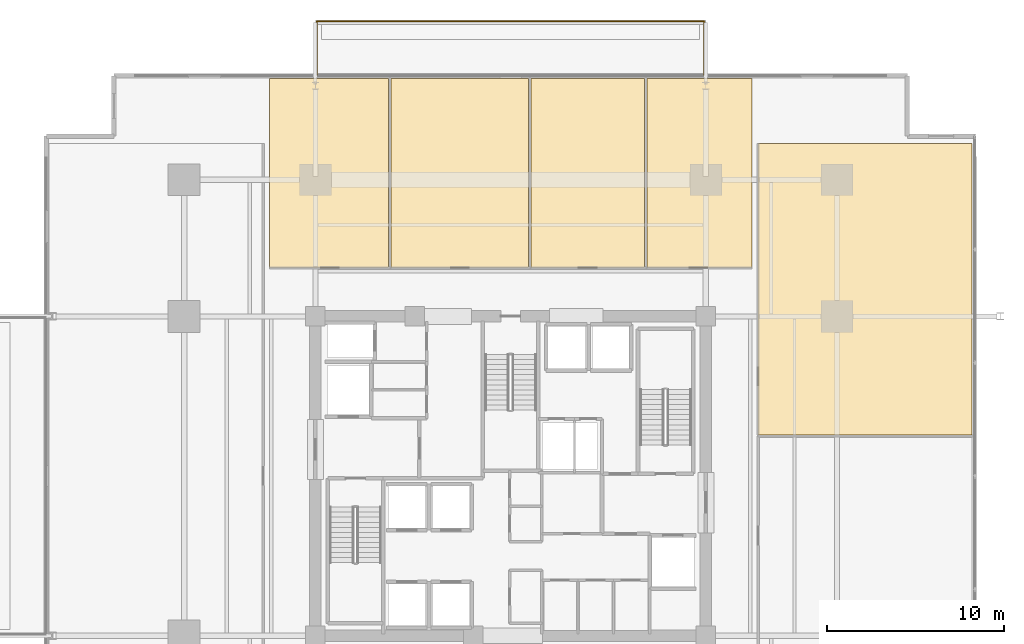
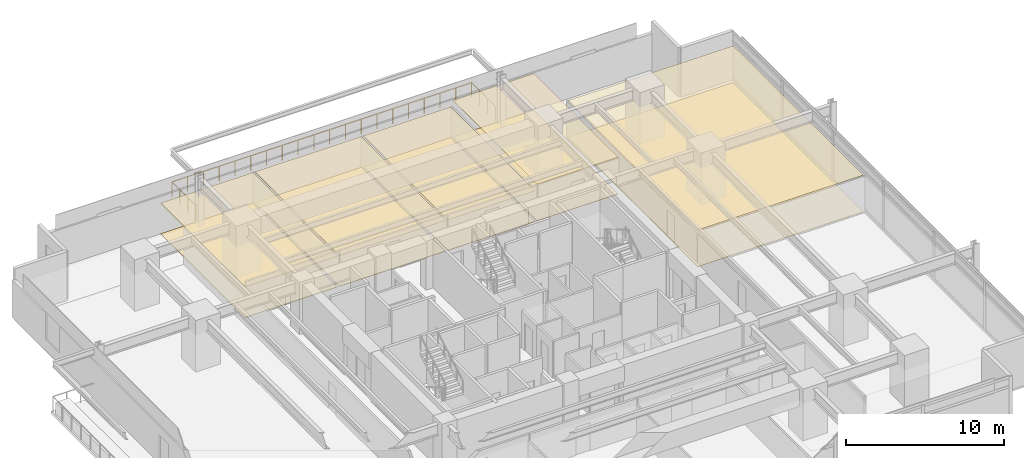
# One storey, part 20 of 20: 10 coverings, 1 railing.
"""IFC4 building model written with IfcOpenShell, lengths in metres."""

from ifc_helpers import new_model, si_unit, direction, frame, origin, origin_2d, place, context, subcontext, project, spatial, polyline, circle, outline, extrude, material, layer, layer_set, type_object, element, save


model = new_model("IFC4")

# Units and contexts
model_context = context("Model", 3, precision=1e-05, world=origin(), true_north=direction((0.0, 1.0)))
body_context = subcontext(model_context, "Body", "Model", "MODEL_VIEW")
ifc_project = project(units=[si_unit("LENGTHUNIT", "METRE"), si_unit("AREAUNIT", "SQUARE_METRE"), si_unit("VOLUMEUNIT", "CUBIC_METRE"), si_unit("PLANEANGLEUNIT", "RADIAN"), si_unit("MASSUNIT", "GRAM", prefix="KILO")], contexts=[model_context])

# Site, building, storey
site_placement = place(None, origin())
site = spatial("IfcSite", under=ifc_project, at=site_placement, CompositionType="ELEMENT")
building_placement = place(site_placement, origin())
building = spatial("IfcBuilding", under=site, at=building_placement, Name="Kovane Verandah Tower", CompositionType="ELEMENT")
storey_placement = place(building_placement, frame((0.0, 0.0, 75.60009765625)))
storey = spatial("IfcBuildingStorey", under=building, at=storey_placement, Name="L17", CompositionType="ELEMENT", Elevation=75.60009765625)

# Coverings
ifc_material_1 = material(Name="Perforated Acoustic Mineral-Fibre Ceiling Tile", Category="gypsum")
ifc_layer_1 = layer(ifc_material_1, 0.02490234375)
ifc_layer_set_1 = layer_set([ifc_layer_1], Name="Perforated Acoustic Mineral-Fibre Ceiling Tile")
covering_type_1 = type_object("IfcCoveringType", Name="CV-CEIL-25", PredefinedType="CEILING", material=ifc_layer_set_1)
covering_1_placement = place(storey_placement, frame((0.0, 0.0, 2.364990234375)))
element("IfcCovering", 1, at=covering_1_placement, inside=storey, type_object=covering_type_1, Name="L17 Focus Studio N1 Acoustic Ceiling", PredefinedType="CEILING", context=body_context, shape_type="SweptSolid", body=[
    extrude(outline(polyline([(26.39990234375, 39.25), (33.1298828125, 39.25), (33.1298828125, 49.90380859375), (26.39990234375, 49.90380859375), (26.39990234375, 39.25)])), origin(), (0.0, 0.0, 1.0), 0.02490234375),
])
covering_2_placement = place(storey_placement, frame((0.0, 0.0, 2.364990234375)))
element("IfcCovering", 2, at=covering_2_placement, inside=storey, type_object=covering_type_1, Name="L17 Breakout Pantry N2 Acoustic Ceiling", PredefinedType="CEILING", context=body_context, shape_type="SweptSolid", body=[
    extrude(outline(polyline([(33.27001953125, 39.25), (41.01806640625, 39.25), (41.01806640625, 49.90380859375), (33.27001953125, 49.90380859375), (33.27001953125, 39.25)])), origin(), (0.0, 0.0, 1.0), 0.02490234375),
])
covering_3_placement = place(storey_placement, frame((0.0, 0.0, 2.364990234375)))
element("IfcCovering", 3, at=covering_3_placement, inside=storey, type_object=covering_type_1, Name="L17 Collaboration Hub N3 Acoustic Ceiling", PredefinedType="CEILING", context=body_context, shape_type="SweptSolid", body=[
    extrude(outline(polyline([(41.157958984375, 39.25), (47.5458984375, 39.25), (47.5458984375, 49.90380859375), (41.157958984375, 49.90380859375), (41.157958984375, 39.25)])), origin(), (0.0, 0.0, 1.0), 0.02490234375),
])
covering_4_placement = place(storey_placement, frame((0.0, 0.0, 2.824951171875)))
element("IfcCovering", 4, at=covering_4_placement, inside=storey, type_object=covering_type_1, Name="L17 Document and Print Room N4 Acoustic Ceiling", PredefinedType="CEILING", context=body_context, shape_type="SweptSolid", body=[
    extrude(outline(polyline([(47.68603515625, 39.25), (53.60009765625, 39.25), (53.60009765625, 49.90380859375), (47.68603515625, 49.90380859375), (47.68603515625, 39.25)])), origin(), (0.0, 0.0, 1.0), 0.02490234375),
])
covering_5_placement = place(storey_placement, frame((0.0, 0.0, 2.824951171875)))
element("IfcCovering", 5, at=covering_5_placement, inside=storey, type_object=covering_type_1, Name="L17 Collaboration Hub E2 Acoustic Ceiling", PredefinedType="CEILING", context=body_context, shape_type="SweptSolid", body=[
    extrude(outline(polyline([(53.949951171875, 29.8203125), (66.012451171875, 29.8203125), (66.012451171875, 46.253662109375), (53.949951171875, 46.253662109375), (53.949951171875, 29.8203125)])), origin(), (0.0, 0.0, 1.0), 0.02490234375),
])
ifc_material_2 = material(Name="Polished Terrazzo and Raised-Access Carpet Tile Finish", Category="concrete")
ifc_layer_2 = layer(ifc_material_2, 0.030029296875)
ifc_layer_set_2 = layer_set([ifc_layer_2], Name="Polished Terrazzo and Raised-Access Carpet Tile Finish")
covering_type_2 = type_object("IfcCoveringType", Name="CV-FLOR-30", PredefinedType="FLOORING", material=ifc_layer_set_2)
covering_6_placement = place(storey_placement, origin())
element("IfcCovering", 6, at=covering_6_placement, inside=storey, type_object=covering_type_2, Name="L17 Focus Studio N1 Floor Finish", PredefinedType="FLOORING", context=body_context, shape_type="SweptSolid", body=[
    extrude(outline(polyline([(26.39990234375, 39.25), (33.1298828125, 39.25), (33.1298828125, 49.90380859375), (26.39990234375, 49.90380859375), (26.39990234375, 39.25)])), origin(), (0.0, 0.0, 1.0), 0.02978515625),
])
covering_7_placement = place(storey_placement, origin())
element("IfcCovering", 7, at=covering_7_placement, inside=storey, type_object=covering_type_2, Name="L17 Breakout Pantry N2 Floor Finish", PredefinedType="FLOORING", context=body_context, shape_type="SweptSolid", body=[
    extrude(outline(polyline([(33.27001953125, 39.25), (41.01806640625, 39.25), (41.01806640625, 49.90380859375), (33.27001953125, 49.90380859375), (33.27001953125, 39.25)])), origin(), (0.0, 0.0, 1.0), 0.02978515625),
])
covering_8_placement = place(storey_placement, origin())
element("IfcCovering", 8, at=covering_8_placement, inside=storey, type_object=covering_type_2, Name="L17 Collaboration Hub N3 Floor Finish", PredefinedType="FLOORING", context=body_context, shape_type="SweptSolid", body=[
    extrude(outline(polyline([(41.157958984375, 39.25), (47.5458984375, 39.25), (47.5458984375, 49.90380859375), (41.157958984375, 49.90380859375), (41.157958984375, 39.25)])), origin(), (0.0, 0.0, 1.0), 0.02978515625),
])
covering_9_placement = place(storey_placement, origin())
element("IfcCovering", 9, at=covering_9_placement, inside=storey, type_object=covering_type_2, Name="L17 Document and Print Room N4 Floor Finish", PredefinedType="FLOORING", context=body_context, shape_type="SweptSolid", body=[
    extrude(outline(polyline([(47.68603515625, 39.25), (53.60009765625, 39.25), (53.60009765625, 49.90380859375), (47.68603515625, 49.90380859375), (47.68603515625, 39.25)])), origin(), (0.0, 0.0, 1.0), 0.02978515625),
])
covering_10_placement = place(storey_placement, origin())
element("IfcCovering", 10, at=covering_10_placement, inside=storey, type_object=covering_type_2, Name="L17 Collaboration Hub E2 Floor Finish", PredefinedType="FLOORING", context=body_context, shape_type="SweptSolid", body=[
    extrude(outline(polyline([(53.949951171875, 29.8203125), (66.012451171875, 29.8203125), (66.012451171875, 46.253662109375), (53.949951171875, 46.253662109375), (53.949951171875, 29.8203125)])), origin(), (0.0, 0.0, 1.0), 0.02978515625),
])

# Railing
ifc_material_3 = material(Name="Laminated Glass and Pale-Champagne Stainless Balustrade", Category="glass")
railing_type = type_object("IfcRailingType", Name="RL-BAL-1150", PredefinedType="BALUSTRADE", material=ifc_material_3)
railing_placement = place(storey_placement, frame((29.080078125, 50.103759765625, 0.0)))
element("IfcRailing", 11, at=railing_placement, inside=storey, type_object=railing_type, Name="L17 N Verandah Glass Balustrade", PredefinedType="BALUSTRADE", context=body_context, shape_type="SweptSolid", body=[
    extrude(circle(Radius=0.02392578125, at=origin_2d()), frame((0.0, 0.0, 1.1259765625), z_axis=(0.0, 1.0, 0.0), x_axis=(-1.0, 0.0, 0.0)), (0.0, 0.0, 1.0), 3.02001953125),
    extrude(circle(Radius=0.02392578125, at=origin_2d()), frame((0.0, 3.02001953125, 1.1259765625), z_axis=(1.0, 0.0, 0.0), x_axis=(0.0, 1.0, 0.0)), (0.0, 0.0, 1.0), 21.83984375),
    extrude(circle(Radius=0.02392578125, at=origin_2d()), frame((21.83984375, 3.02001953125, 1.1259765625), z_axis=(0.0, -1.0, 0.0), x_axis=(1.0, 0.0, 0.0)), (0.0, 0.0, 1.0), 3.02001953125),
    extrude(circle(Radius=0.02099609375, at=origin_2d()), origin(), (0.0, 0.0, 1.0), 1.101806640625),
    extrude(circle(Radius=0.02099609375, at=origin_2d()), frame((0.0, 1.006591796875, 0.0)), (0.0, 0.0, 1.0), 1.101806640625),
    extrude(circle(Radius=0.02099609375, at=origin_2d()), frame((0.0, 2.013427734375, 0.0)), (0.0, 0.0, 1.0), 1.101806640625),
    extrude(circle(Radius=0.02099609375, at=origin_2d()), frame((0.0, 3.02001953125, 0.0)), (0.0, 0.0, 1.0), 1.101806640625),
    extrude(circle(Radius=0.02099609375, at=origin_2d()), frame((1.1494140625, 3.02001953125, 0.0)), (0.0, 0.0, 1.0), 1.101806640625),
    extrude(circle(Radius=0.02099609375, at=origin_2d()), frame((2.298828125, 3.02001953125, 0.0)), (0.0, 0.0, 1.0), 1.101806640625),
    extrude(circle(Radius=0.02099609375, at=origin_2d()), frame((3.448486328125, 3.02001953125, 0.0)), (0.0, 0.0, 1.0), 1.101806640625),
    extrude(circle(Radius=0.02099609375, at=origin_2d()), frame((4.597900390625, 3.02001953125, 0.0)), (0.0, 0.0, 1.0), 1.101806640625),
    extrude(circle(Radius=0.02099609375, at=origin_2d()), frame((5.747314453125, 3.02001953125, 0.0)), (0.0, 0.0, 1.0), 1.101806640625),
    extrude(circle(Radius=0.02099609375, at=origin_2d()), frame((6.896728515625, 3.02001953125, 0.0)), (0.0, 0.0, 1.0), 1.101806640625),
    extrude(circle(Radius=0.02099609375, at=origin_2d()), frame((8.046142578125, 3.02001953125, 0.0)), (0.0, 0.0, 1.0), 1.101806640625),
    extrude(circle(Radius=0.02099609375, at=origin_2d()), frame((9.19580078125, 3.02001953125, 0.0)), (0.0, 0.0, 1.0), 1.101806640625),
    extrude(circle(Radius=0.02099609375, at=origin_2d()), frame((10.34521484375, 3.02001953125, 0.0)), (0.0, 0.0, 1.0), 1.101806640625),
    extrude(circle(Radius=0.02099609375, at=origin_2d()), frame((11.49462890625, 3.02001953125, 0.0)), (0.0, 0.0, 1.0), 1.101806640625),
    extrude(circle(Radius=0.02099609375, at=origin_2d()), frame((12.64404296875, 3.02001953125, 0.0)), (0.0, 0.0, 1.0), 1.101806640625),
    extrude(circle(Radius=0.02099609375, at=origin_2d()), frame((13.793701171875, 3.02001953125, 0.0)), (0.0, 0.0, 1.0), 1.101806640625),
    extrude(circle(Radius=0.02099609375, at=origin_2d()), frame((14.943115234375, 3.02001953125, 0.0)), (0.0, 0.0, 1.0), 1.101806640625),
    extrude(circle(Radius=0.02099609375, at=origin_2d()), frame((16.092529296875, 3.02001953125, 0.0)), (0.0, 0.0, 1.0), 1.101806640625),
    extrude(circle(Radius=0.02099609375, at=origin_2d()), frame((17.241943359375, 3.02001953125, 0.0)), (0.0, 0.0, 1.0), 1.101806640625),
    extrude(circle(Radius=0.02099609375, at=origin_2d()), frame((18.391357421875, 3.02001953125, 0.0)), (0.0, 0.0, 1.0), 1.101806640625),
    extrude(circle(Radius=0.02099609375, at=origin_2d()), frame((19.541015625, 3.02001953125, 0.0)), (0.0, 0.0, 1.0), 1.101806640625),
    extrude(circle(Radius=0.02099609375, at=origin_2d()), frame((20.6904296875, 3.02001953125, 0.0)), (0.0, 0.0, 1.0), 1.101806640625),
    extrude(circle(Radius=0.02099609375, at=origin_2d()), frame((21.83984375, 3.02001953125, 0.0)), (0.0, 0.0, 1.0), 1.101806640625),
    extrude(circle(Radius=0.02099609375, at=origin_2d()), frame((21.83984375, 2.013427734375, 0.0)), (0.0, 0.0, 1.0), 1.101806640625),
    extrude(circle(Radius=0.02099609375, at=origin_2d()), frame((21.83984375, 1.006591796875, 0.0)), (0.0, 0.0, 1.0), 1.101806640625),
    extrude(circle(Radius=0.02099609375, at=origin_2d()), frame((21.83984375, 0.0, 0.0)), (0.0, 0.0, 1.0), 1.101806640625),
])

save(model, "model.ifc")
